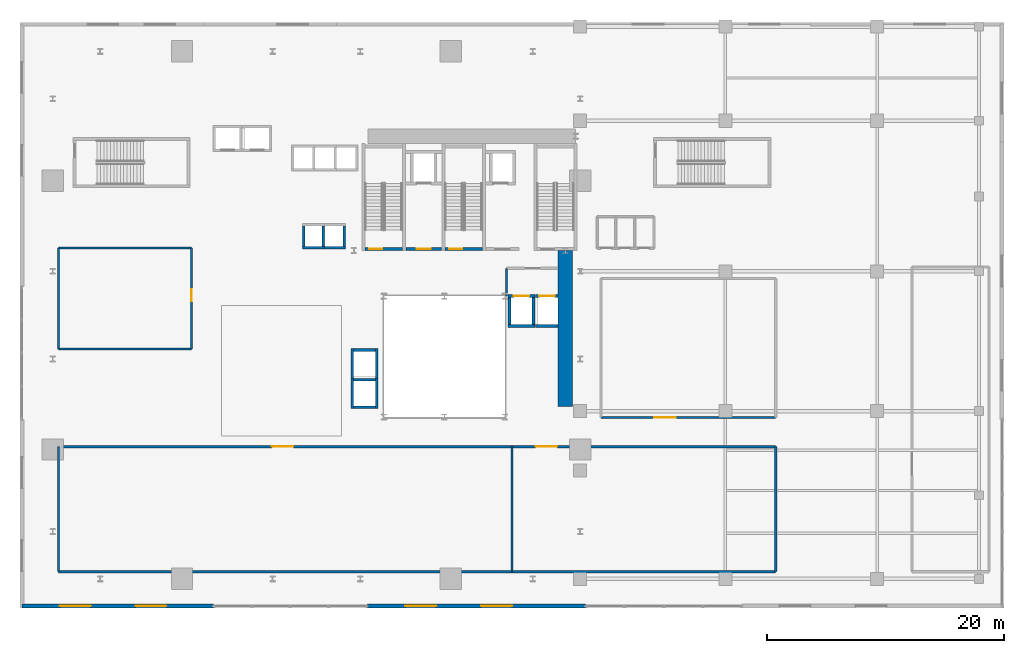
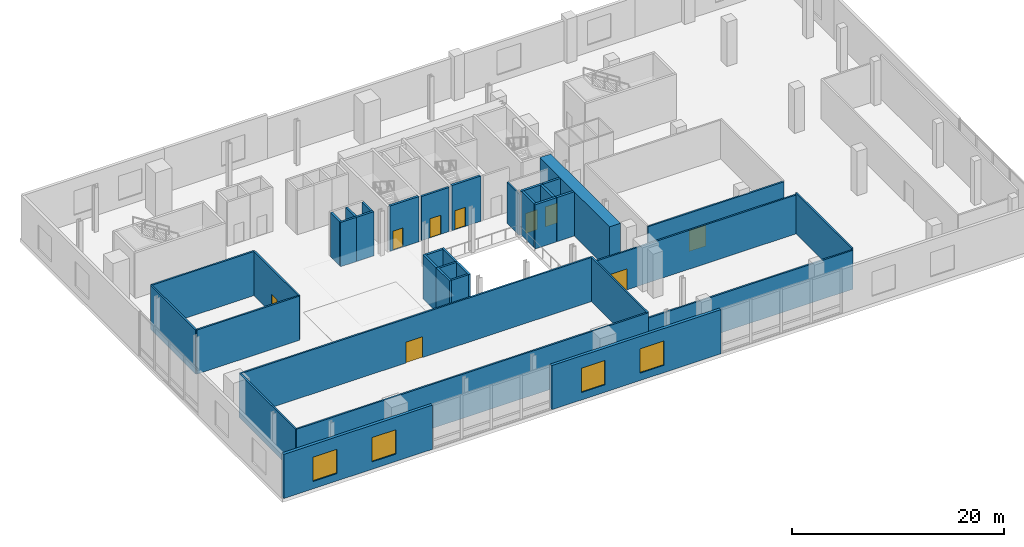
# One storey, part 6 of 12: 37 walls, 9 doors, 4 windows, 13 openings.
"""IFC4 building model written with IfcOpenShell, lengths in metres."""

from ifc_helpers import new_model, si_unit, direction, frame, frame_2d, origin, place, context, subcontext, project, spatial, rectangle, extrude, source, transform, mapped, material, layer, layer_set, type_object, element, fill, save


model = new_model("IFC4")

# Units and contexts
model_context = context("Model", 3, precision=1e-05, world=origin(), true_north=direction((0.0, 1.0)))
body_context = subcontext(model_context, "Body", "Model", "MODEL_VIEW")
ifc_project = project(units=[si_unit("LENGTHUNIT", "METRE"), si_unit("AREAUNIT", "SQUARE_METRE"), si_unit("VOLUMEUNIT", "CUBIC_METRE"), si_unit("PLANEANGLEUNIT", "RADIAN"), si_unit("MASSUNIT", "GRAM", prefix="KILO")], contexts=[model_context])

# Site, building, storey
site_placement = place(None, origin())
site = spatial("IfcSite", under=ifc_project, at=site_placement, CompositionType="ELEMENT")
building_placement = place(site_placement, origin())
building = spatial("IfcBuilding", under=site, at=building_placement, Name="Vardaveli Station Tower", CompositionType="ELEMENT")
storey_placement = place(building_placement, frame((0.0, 0.0, 17.0)))
storey = spatial("IfcBuildingStorey", under=building, at=storey_placement, Name="L04", CompositionType="ELEMENT", Elevation=17.0)

# Wall
ifc_material_1 = material(Name="Concrete C70/85", Category="concrete")
ifc_layer_1 = layer(ifc_material_1, 1.199951171875, Name="Concrete C70/85")
ifc_layer_set_1 = layer_set([ifc_layer_1], Name="Concrete C70/85")
wall_type_1 = type_object("IfcWallType", Name="WAL-CORE-1200", PredefinedType="SHEAR", material=ifc_layer_set_1)
shared_shape_1 = source(origin(), body_context, "Body", "SweptSolid", [
    extrude(rectangle(XDim=13.14990234375, YDim=1.199951171875, at=frame_2d((6.574951171875, 0.0))), origin(), (0.0, 0.0, 1.0), 5.080078125),
])
wall_1_placement = place(storey_placement, frame((46.5, 17.5, 0.0), z_axis=(0.0, 0.0, 1.0), x_axis=(0.0, 1.0, 0.0)))
element("IfcWall", 1, at=wall_1_placement, inside=storey, type_object=wall_type_1, Name="SW-L04-EAST2", PredefinedType="SHEAR", context=body_context, shape_type="MappedRepresentation", body=[
    mapped(shared_shape_1, transform((0.0, 0.0, 0.0), scale=1.0)),
])

# Wall, openings, windows
ifc_material_2 = material(Name="Precast concrete C45/55", Category="concrete")
ifc_layer_2 = layer(ifc_material_2, 0.320068359375, Name="Precast concrete C45/55")
ifc_layer_set_2 = layer_set([ifc_layer_2], Name="Precast concrete C45/55")
wall_type_2 = type_object("IfcWallType", Name="WAL-EXT-STONE-320", PredefinedType="SOLIDWALL", material=ifc_layer_set_2)
shared_shape_2 = source(origin(), body_context, "Body", "SweptSolid", [
    extrude(rectangle(XDim=16.150146484375, YDim=0.320068359375, at=frame_2d((8.0751953125, 0.0))), origin(), (0.0, 0.0, 1.0), 5.080078125),
])
wall_2_placement = place(storey_placement, frame((0.64990234375, 0.64990234375, 0.0), z_axis=(0.0, 0.0, 1.0), x_axis=(1.0, 0.0, 0.0)))
wall_2 = element("IfcWall", 2, at=wall_2_placement, inside=storey, type_object=wall_type_2, Name="EW-L04-S1", PredefinedType="SOLIDWALL", context=body_context, shape_type="MappedRepresentation", body=[
    mapped(shared_shape_2, transform((0.0, 0.0, 0.0), scale=1.0)),
])
shared_shape_3 = source(origin(), body_context, "Body", "SweptSolid", [
    extrude(rectangle(XDim=2.60009765625, YDim=2.800048828125, at=frame_2d((1.300048828125, 1.39990234375))), frame((0.0, 0.169921875, 0.0), z_axis=(0.0, -1.0, 0.0), x_axis=(1.0, 0.0, 0.0)), (0.0, 0.0, 1.0), 0.340087890625),
])
opening_1_placement = place(wall_2_placement, frame((3.199951171875, 0.0, 0.85009765625)))
opening_1 = element("IfcOpeningElement", 3, at=opening_1_placement, cuts=wall_2, Name="Opening W-02", PredefinedType="OPENING", context=body_context, shape_type="MappedRepresentation", body=[
    mapped(shared_shape_3, transform((0.0, 0.0, 0.0), scale=1.0)),
])
opening_2_placement = place(wall_2_placement, frame((9.60009765625, 0.0, 0.85009765625)))
opening_2 = element("IfcOpeningElement", 4, at=opening_2_placement, cuts=wall_2, Name="Opening W-02", PredefinedType="OPENING", context=body_context, shape_type="MappedRepresentation", body=[
    mapped(shared_shape_3, transform((0.0, 0.0, 0.0), scale=1.0)),
])
ifc_material_3 = material(Name="Low-E solar-control glass", Category="glass")
window_type = type_object("IfcWindowType", Name="WIN-POD-2600x2800", PartitioningType="SINGLE_PANEL", PredefinedType="WINDOW", material=ifc_material_3)
shared_shape_4 = source(origin(), body_context, "Body", "SweptSolid", [
    extrude(rectangle(XDim=2.60009765625, YDim=2.800048828125, at=frame_2d((1.300048828125, 1.39990234375))), frame((0.0, 0.030029296875, 0.0), z_axis=(0.0, -1.0, 0.0), x_axis=(1.0, 0.0, 0.0)), (0.0, 0.0, 1.0), 0.06005859375),
])
window_1_placement = place(opening_1_placement, origin())
window_1 = element("IfcWindow", 5, at=window_1_placement, inside=storey, type_object=window_type, Name="WN-L04-S1A", OverallHeight=2.800048828125, OverallWidth=2.60009765625, PartitioningType="SINGLE_PANEL", PredefinedType="WINDOW", context=body_context, shape_type="MappedRepresentation", body=[
    mapped(shared_shape_4, transform((0.0, 0.0, 0.0), scale=1.0)),
])
fill(opening_1, window_1)
window_2_placement = place(opening_2_placement, origin())
window_2 = element("IfcWindow", 6, at=window_2_placement, inside=storey, type_object=window_type, Name="WN-L04-S1B", OverallHeight=2.800048828125, OverallWidth=2.60009765625, PartitioningType="SINGLE_PANEL", PredefinedType="WINDOW", context=body_context, shape_type="MappedRepresentation", body=[
    mapped(shared_shape_4, transform((0.0, 0.0, 0.0), scale=1.0)),
])
fill(opening_2, window_2)

shared_shape_5 = source(origin(), body_context, "Body", "SweptSolid", [
    extrude(rectangle(XDim=18.39990234375, YDim=0.320068359375, at=frame_2d((9.199951171875, 0.0))), origin(), (0.0, 0.0, 1.0), 5.080078125),
])
wall_3_placement = place(storey_placement, frame((29.800048828125, 0.64990234375, 0.0), z_axis=(0.0, 0.0, 1.0), x_axis=(1.0, 0.0, 0.0)))
wall_3 = element("IfcWall", 7, at=wall_3_placement, inside=storey, type_object=wall_type_2, Name="EW-L04-S3", PredefinedType="SOLIDWALL", context=body_context, shape_type="MappedRepresentation", body=[
    mapped(shared_shape_5, transform((0.0, 0.0, 0.0), scale=1.0)),
])
opening_3_placement = place(wall_3_placement, frame((3.199951171875, 0.0, 0.85009765625)))
opening_3 = element("IfcOpeningElement", 8, at=opening_3_placement, cuts=wall_3, Name="Opening W-02", PredefinedType="OPENING", context=body_context, shape_type="MappedRepresentation", body=[
    mapped(shared_shape_3, transform((0.0, 0.0, 0.0), scale=1.0)),
])
opening_4_placement = place(wall_3_placement, frame((9.60009765625, 0.0, 0.85009765625)))
opening_4 = element("IfcOpeningElement", 9, at=opening_4_placement, cuts=wall_3, Name="Opening W-02", PredefinedType="OPENING", context=body_context, shape_type="MappedRepresentation", body=[
    mapped(shared_shape_3, transform((0.0, 0.0, 0.0), scale=1.0)),
])
window_3_placement = place(opening_3_placement, origin())
window_3 = element("IfcWindow", 10, at=window_3_placement, inside=storey, type_object=window_type, Name="WN-L04-S3A", OverallHeight=2.800048828125, OverallWidth=2.60009765625, PartitioningType="SINGLE_PANEL", PredefinedType="WINDOW", context=body_context, shape_type="MappedRepresentation", body=[
    mapped(shared_shape_4, transform((0.0, 0.0, 0.0), scale=1.0)),
])
fill(opening_3, window_3)
window_4_placement = place(opening_4_placement, origin())
window_4 = element("IfcWindow", 11, at=window_4_placement, inside=storey, type_object=window_type, Name="WN-L04-S3B", OverallHeight=2.800048828125, OverallWidth=2.60009765625, PartitioningType="SINGLE_PANEL", PredefinedType="WINDOW", context=body_context, shape_type="MappedRepresentation", body=[
    mapped(shared_shape_4, transform((0.0, 0.0, 0.0), scale=1.0)),
])
fill(opening_4, window_4)

# Wall, opening, door
ifc_material_4 = material(Name="Concrete C40/50", Category="concrete")
ifc_layer_3 = layer(ifc_material_4, 0.25, Name="Concrete C40/50")
ifc_layer_set_3 = layer_set([ifc_layer_3], Name="Concrete C40/50")
wall_type_3 = type_object("IfcWallType", Name="WAL-SHAFT-250", PredefinedType="SOLIDWALL", material=ifc_layer_set_3)
shared_shape_6 = source(origin(), body_context, "Body", "SweptSolid", [
    extrude(rectangle(XDim=3.14990234375, YDim=0.25, at=frame_2d((1.574951171875, 0.0))), origin(), (0.0, 0.0, 1.0), 5.199951171875),
])
wall_4_placement = place(storey_placement, frame((29.60009765625, 30.77490234375, 0.0), z_axis=(0.0, 0.0, 1.0), x_axis=(1.0, 0.0, 0.0)))
wall_4 = element("IfcWall", 12, at=wall_4_placement, inside=storey, type_object=wall_type_3, Name="W-L04-ST-1S", PredefinedType="SOLIDWALL", context=body_context, shape_type="MappedRepresentation", body=[
    mapped(shared_shape_6, transform((0.0, 0.0, 0.0), scale=1.0)),
])
shared_shape_7 = source(origin(), body_context, "Body", "SweptSolid", [
    extrude(rectangle(XDim=1.10009765625, YDim=2.199951171875, at=frame_2d((0.550048828125, 1.10009765625))), frame((0.0, 0.135009765625, 0.0), z_axis=(0.0, -1.0, 0.0), x_axis=(1.0, 0.0, 0.0)), (0.0, 0.0, 1.0), 0.27001953125),
])
opening_5_placement = place(wall_4_placement, frame((0.35009765625, 0.0, 0.0)))
opening_5 = element("IfcOpeningElement", 13, at=opening_5_placement, cuts=wall_4, Name="Opening D-04", PredefinedType="OPENING", context=body_context, shape_type="MappedRepresentation", body=[
    mapped(shared_shape_7, transform((0.0, 0.0, 0.0), scale=1.0)),
])
ifc_material_5 = material(Name="Steel smokeproof fire doorset", Category="steel")
door_type_1 = type_object("IfcDoorType", Name="DR-ST-1100x2200", OperationType="NOTDEFINED", PredefinedType="DOOR", material=ifc_material_5)
shared_shape_8 = source(origin(), body_context, "Body", "SweptSolid", [
    extrude(rectangle(XDim=1.10009765625, YDim=2.199951171875, at=frame_2d((0.550048828125, 1.10009765625))), frame((0.0, 0.02490234375, 0.0), z_axis=(0.0, -1.0, 0.0), x_axis=(1.0, 0.0, 0.0)), (0.0, 0.0, 1.0), 0.050048828125),
])
door_1_placement = place(opening_5_placement, origin())
door_1 = element("IfcDoor", 14, at=door_1_placement, inside=storey, type_object=door_type_1, Name="DST-1-L04", OperationType="SINGLE_SWING_LEFT", OverallHeight=2.199951171875, OverallWidth=1.10009765625, PredefinedType="DOOR", context=body_context, shape_type="MappedRepresentation", body=[
    mapped(shared_shape_8, transform((0.0, 0.0, 0.0), scale=1.0)),
])
fill(opening_5, door_1)

wall_5_placement = place(storey_placement, frame((36.35009765625, 30.77490234375, 0.0), z_axis=(0.0, 0.0, 1.0), x_axis=(1.0, 0.0, 0.0)))
wall_5 = element("IfcWall", 15, at=wall_5_placement, inside=storey, type_object=wall_type_3, Name="W-L04-ST-2S", PredefinedType="SOLIDWALL", context=body_context, shape_type="MappedRepresentation", body=[
    mapped(shared_shape_6, transform((0.0, 0.0, 0.0), scale=1.0)),
])
opening_6_placement = place(wall_5_placement, frame((0.35009765625, 0.0, 0.0)))
opening_6 = element("IfcOpeningElement", 16, at=opening_6_placement, cuts=wall_5, Name="Opening D-04", PredefinedType="OPENING", context=body_context, shape_type="MappedRepresentation", body=[
    mapped(shared_shape_7, transform((0.0, 0.0, 0.0), scale=1.0)),
])
door_2_placement = place(opening_6_placement, origin())
door_2 = element("IfcDoor", 17, at=door_2_placement, inside=storey, type_object=door_type_1, Name="DST-2-L04", OperationType="SINGLE_SWING_LEFT", OverallHeight=2.199951171875, OverallWidth=1.10009765625, PredefinedType="DOOR", context=body_context, shape_type="MappedRepresentation", body=[
    mapped(shared_shape_8, transform((0.0, 0.0, 0.0), scale=1.0)),
])
fill(opening_6, door_2)

ifc_layer_4 = layer(ifc_material_4, 0.219970703125, Name="Concrete C40/50")
ifc_layer_set_4 = layer_set([ifc_layer_4], Name="Concrete C40/50")
wall_type_4 = type_object("IfcWallType", Name="WAL-FFLOBBY-220", PredefinedType="SOLIDWALL", material=ifc_layer_set_4)
shared_shape_9 = source(origin(), body_context, "Body", "SweptSolid", [
    extrude(rectangle(XDim=3.0, YDim=0.219970703125, at=frame_2d((1.5, 0.0))), origin(), (0.0, 0.0, 1.0), 5.080078125),
])
wall_6_placement = place(storey_placement, frame((33.050048828125, 30.780029296875, 0.0), z_axis=(0.0, 0.0, 1.0), x_axis=(1.0, 0.0, 0.0)))
wall_6 = element("IfcWall", 18, at=wall_6_placement, inside=storey, type_object=wall_type_4, Name="W-L04-FFL1S", PredefinedType="SOLIDWALL", context=body_context, shape_type="MappedRepresentation", body=[
    mapped(shared_shape_9, transform((0.0, 0.0, 0.0), scale=1.0)),
])
shared_shape_10 = source(origin(), body_context, "Body", "SweptSolid", [
    extrude(rectangle(XDim=1.199951171875, YDim=2.199951171875, at=frame_2d((0.60009765625, 1.10009765625))), frame((0.0, 0.1201171875, 0.0), z_axis=(0.0, -1.0, 0.0), x_axis=(1.0, 0.0, 0.0)), (0.0, 0.0, 1.0), 0.239990234375),
])
opening_7_placement = place(wall_6_placement, frame((0.89990234375, 0.0, 0.0)))
opening_7 = element("IfcOpeningElement", 19, at=opening_7_placement, cuts=wall_6, Name="Opening D-03", PredefinedType="OPENING", context=body_context, shape_type="MappedRepresentation", body=[
    mapped(shared_shape_10, transform((0.0, 0.0, 0.0), scale=1.0)),
])
door_type_2 = type_object("IfcDoorType", Name="DR-FFL-1200x2200", OperationType="NOTDEFINED", PredefinedType="DOOR", material=ifc_material_5)
shared_shape_11 = source(origin(), body_context, "Body", "SweptSolid", [
    extrude(rectangle(XDim=1.199951171875, YDim=2.199951171875, at=frame_2d((0.60009765625, 1.10009765625))), frame((0.0, 0.02490234375, 0.0), z_axis=(0.0, -1.0, 0.0), x_axis=(1.0, 0.0, 0.0)), (0.0, 0.0, 1.0), 0.050048828125),
])
door_3_placement = place(opening_7_placement, origin())
door_3 = element("IfcDoor", 20, at=door_3_placement, inside=storey, type_object=door_type_2, Name="DFFL1-L04", OperationType="SINGLE_SWING_LEFT", OverallHeight=2.199951171875, OverallWidth=1.199951171875, PredefinedType="DOOR", context=body_context, shape_type="MappedRepresentation", body=[
    mapped(shared_shape_11, transform((0.0, 0.0, 0.0), scale=1.0)),
])
fill(opening_7, door_3)

# Walls
shared_shape_12 = source(origin(), body_context, "Body", "SweptSolid", [
    extrude(rectangle(XDim=1.89013671875, YDim=0.219970703125, at=frame_2d((0.945068359375, 0.0))), origin(), (0.0, 0.0, 1.0), 5.080078125),
])
for number, where, z_axis, x_axis, name in (
    (21, (24.304931640625, 30.889892578125, 0.0), (0.0, 0.0, 1.0), (1.0, 0.0, 0.0), "SHW-SHU-01-L04-S"),
    (22, (26.054931640625, 30.889892578125, 0.0), (0.0, 0.0, 1.0), (1.0, 0.0, 0.0), "SHW-SHU-02-L04-S"),
):
    element("IfcWall", number, at=place(storey_placement, frame(where, z_axis=z_axis, x_axis=x_axis)), inside=storey, type_object=wall_type_4, Name=name, PredefinedType="SOLIDWALL", context=body_context, shape_type="MappedRepresentation", body=[
        mapped(shared_shape_12, transform((0.0, 0.0, 0.0), scale=1.0)),
    ])
shared_shape_13 = source(origin(), body_context, "Body", "SweptSolid", [
    extrude(rectangle(XDim=1.699951171875, YDim=0.219970703125, at=frame_2d((0.85009765625, 0.0))), origin(), (0.0, 0.0, 1.0), 5.080078125),
])
for number, where, z_axis, x_axis, name in (
    (23, (24.4150390625, 31.0, 0.0), (0.0, 0.0, 1.0), (0.0, 1.0, 0.0), "SHW-SHU-01-L04-W"),
    (24, (26.0849609375, 31.0, 0.0), (0.0, 0.0, 1.0), (0.0, 1.0, 0.0), "SHW-SHU-01-L04-E"),
    (25, (27.8349609375, 31.0, 0.0), (0.0, 0.0, 1.0), (0.0, 1.0, 0.0), "SHW-SHU-02-L04-E"),
):
    element("IfcWall", number, at=place(storey_placement, frame(where, z_axis=z_axis, x_axis=x_axis)), inside=storey, type_object=wall_type_4, Name=name, PredefinedType="SOLIDWALL", context=body_context, shape_type="MappedRepresentation", body=[
        mapped(shared_shape_13, transform((0.0, 0.0, 0.0), scale=1.0)),
    ])
shared_shape_14 = source(origin(), body_context, "Body", "SweptSolid", [
    extrude(rectangle(XDim=1.85009765625, YDim=0.219970703125, at=frame_2d((0.925048828125, 0.0))), origin(), (0.0, 0.0, 1.0), 5.080078125),
])
for number, where, z_axis, x_axis, name in (
    (26, (28.625, 17.43994140625, 0.0), (0.0, 0.0, 1.0), (1.0, 0.0, 0.0), "SHW-OBS-01-L04-S"),
    (27, (28.625, 19.760009765625, 0.0), (0.0, 0.0, 1.0), (1.0, 0.0, 0.0), "SHW-OBS-01-L04-N"),
    (28, (28.625, 22.260009765625, 0.0), (0.0, 0.0, 1.0), (1.0, 0.0, 0.0), "SHW-OBS-02-L04-N"),
):
    element("IfcWall", number, at=place(storey_placement, frame(where, z_axis=z_axis, x_axis=x_axis)), inside=storey, type_object=wall_type_4, Name=name, PredefinedType="SOLIDWALL", context=body_context, shape_type="MappedRepresentation", body=[
        mapped(shared_shape_14, transform((0.0, 0.0, 0.0), scale=1.0)),
    ])
shared_shape_15 = source(origin(), body_context, "Body", "SweptSolid", [
    extrude(rectangle(XDim=2.5400390625, YDim=0.219970703125, at=frame_2d((1.27001953125, 0.0))), origin(), (0.0, 0.0, 1.0), 5.080078125),
])
for number, where, z_axis, x_axis, name in (
    (29, (28.514892578125, 17.330078125, 0.0), (0.0, 0.0, 1.0), (0.0, 1.0, 0.0), "SHW-OBS-01-L04-W"),
    (30, (30.5849609375, 17.330078125, 0.0), (0.0, 0.0, 1.0), (0.0, 1.0, 0.0), "SHW-OBS-01-L04-E"),
    (31, (28.514892578125, 19.830078125, 0.0), (0.0, 0.0, 1.0), (0.0, 1.0, 0.0), "SHW-OBS-02-L04-W"),
    (32, (30.5849609375, 19.830078125, 0.0), (0.0, 0.0, 1.0), (0.0, 1.0, 0.0), "SHW-OBS-02-L04-E"),
):
    element("IfcWall", number, at=place(storey_placement, frame(where, z_axis=z_axis, x_axis=x_axis)), inside=storey, type_object=wall_type_4, Name=name, PredefinedType="SOLIDWALL", context=body_context, shape_type="MappedRepresentation", body=[
        mapped(shared_shape_15, transform((0.0, 0.0, 0.0), scale=1.0)),
    ])
shared_shape_16 = source(origin(), body_context, "Body", "SweptSolid", [
    extrude(rectangle(XDim=2.300048828125, YDim=0.25, at=frame_2d((1.14990234375, 0.0))), origin(), (0.0, 0.0, 1.0), 5.080078125),
])
wall_7_placement = place(storey_placement, frame((41.64990234375, 24.27490234375, 0.0), z_axis=(0.0, 0.0, 1.0), x_axis=(1.0, 0.0, 0.0)))
element("IfcWall", 33, at=wall_7_placement, inside=storey, type_object=wall_type_3, Name="SHW-SRV-01-L04-S", PredefinedType="SOLIDWALL", context=body_context, shape_type="MappedRepresentation", body=[
    mapped(shared_shape_16, transform((0.0, 0.0, 0.0), scale=1.0)),
])

# Wall, opening, door
wall_8_placement = place(storey_placement, frame((41.64990234375, 26.824951171875, 0.0), z_axis=(0.0, 0.0, 1.0), x_axis=(1.0, 0.0, 0.0)))
wall_8 = element("IfcWall", 34, at=wall_8_placement, inside=storey, type_object=wall_type_3, Name="SHW-SRV-01-L04-N", PredefinedType="SOLIDWALL", context=body_context, shape_type="MappedRepresentation", body=[
    mapped(shared_shape_16, transform((0.0, 0.0, 0.0), scale=1.0)),
])
shared_shape_17 = source(origin(), body_context, "Body", "SweptSolid", [
    extrude(rectangle(XDim=1.300048828125, YDim=2.300048828125, at=frame_2d((0.64990234375, 1.14990234375))), frame((0.0, 0.135009765625, 0.0), z_axis=(0.0, -1.0, 0.0), x_axis=(1.0, 0.0, 0.0)), (0.0, 0.0, 1.0), 0.27001953125),
])
opening_8_placement = place(wall_8_placement, frame((0.5, 0.0, 0.0)))
opening_8 = element("IfcOpeningElement", 35, at=opening_8_placement, cuts=wall_8, Name="Opening LD-03", PredefinedType="OPENING", context=body_context, shape_type="MappedRepresentation", body=[
    mapped(shared_shape_17, transform((0.0, 0.0, 0.0), scale=1.0)),
])
ifc_material_6 = material(Name="Brushed stainless steel", Category="steel")
door_type_3 = type_object("IfcDoorType", Name="DR-LD-1300x2300", OperationType="DOUBLE_DOOR_SLIDING", PredefinedType="DOOR", material=ifc_material_6)
shared_shape_18 = source(origin(), body_context, "Body", "SweptSolid", [
    extrude(rectangle(XDim=1.300048828125, YDim=2.300048828125, at=frame_2d((0.64990234375, 1.14990234375))), frame((0.0, 0.02490234375, 0.0), z_axis=(0.0, -1.0, 0.0), x_axis=(1.0, 0.0, 0.0)), (0.0, 0.0, 1.0), 0.050048828125),
])
door_4_placement = place(opening_8_placement, origin())
door_4 = element("IfcDoor", 36, at=door_4_placement, inside=storey, type_object=door_type_3, Name="LD-SRV-01-L04", OperationType="DOUBLE_DOOR_SLIDING", OverallHeight=2.300048828125, OverallWidth=1.300048828125, PredefinedType="DOOR", context=body_context, shape_type="MappedRepresentation", body=[
    mapped(shared_shape_18, transform((0.0, 0.0, 0.0), scale=1.0)),
])
fill(opening_8, door_4)

# Walls
for number, where, z_axis, x_axis, name in (
    (37, (41.77490234375, 24.39990234375, 0.0), (0.0, 0.0, 1.0), (0.0, 1.0, 0.0), "SHW-SRV-01-L04-W"),
    (38, (43.824951171875, 24.39990234375, 0.0), (0.0, 0.0, 1.0), (0.0, 1.0, 0.0), "SHW-SRV-01-L04-E"),
):
    element("IfcWall", number, at=place(storey_placement, frame(where, z_axis=z_axis, x_axis=x_axis)), inside=storey, type_object=wall_type_3, Name=name, PredefinedType="SOLIDWALL", context=body_context, shape_type="MappedRepresentation", body=[
        mapped(shared_shape_16, transform((0.0, 0.0, 0.0), scale=1.0)),
    ])
shared_shape_19 = source(origin(), body_context, "Body", "SweptSolid", [
    extrude(rectangle(XDim=1.89990234375, YDim=0.25, at=frame_2d((0.949951171875, 0.0))), origin(), (0.0, 0.0, 1.0), 5.080078125),
])
wall_9_placement = place(storey_placement, frame((44.0, 24.27490234375, 0.0), z_axis=(0.0, 0.0, 1.0), x_axis=(1.0, 0.0, 0.0)))
element("IfcWall", 39, at=wall_9_placement, inside=storey, type_object=wall_type_3, Name="SHW-SRV-02-L04-S", PredefinedType="SOLIDWALL", context=body_context, shape_type="MappedRepresentation", body=[
    mapped(shared_shape_19, transform((0.0, 0.0, 0.0), scale=1.0)),
])

# Wall, opening, door
wall_10_placement = place(storey_placement, frame((44.0, 26.824951171875, 0.0), z_axis=(0.0, 0.0, 1.0), x_axis=(1.0, 0.0, 0.0)))
wall_10 = element("IfcWall", 40, at=wall_10_placement, inside=storey, type_object=wall_type_3, Name="SHW-SRV-02-L04-N", PredefinedType="SOLIDWALL", context=body_context, shape_type="MappedRepresentation", body=[
    mapped(shared_shape_19, transform((0.0, 0.0, 0.0), scale=1.0)),
])
opening_9_placement = place(wall_10_placement, frame((0.300048828125, 0.0, 0.0)))
opening_9 = element("IfcOpeningElement", 41, at=opening_9_placement, cuts=wall_10, Name="Opening LD-03", PredefinedType="OPENING", context=body_context, shape_type="MappedRepresentation", body=[
    mapped(shared_shape_17, transform((0.0, 0.0, 0.0), scale=1.0)),
])
door_5_placement = place(opening_9_placement, origin())
door_5 = element("IfcDoor", 42, at=door_5_placement, inside=storey, type_object=door_type_3, Name="LD-SRV-02-L04", OperationType="DOUBLE_DOOR_SLIDING", OverallHeight=2.300048828125, OverallWidth=1.300048828125, PredefinedType="DOOR", context=body_context, shape_type="MappedRepresentation", body=[
    mapped(shared_shape_18, transform((0.0, 0.0, 0.0), scale=1.0)),
])
fill(opening_9, door_5)

ifc_material_7 = material(Name="Fire-rated gypsum stud partition")
ifc_layer_5 = layer(ifc_material_7, 0.179931640625, Name="Fire-rated gypsum stud partition")
ifc_layer_set_5 = layer_set([ifc_layer_5], Name="Fire-rated gypsum stud partition")
wall_type_5 = type_object("IfcWallType", Name="WAL-CORR-180", PredefinedType="PARTITIONING", material=ifc_layer_set_5)
shared_shape_20 = source(origin(), body_context, "Body", "SweptSolid", [
    extrude(rectangle(XDim=38.25, YDim=0.179931640625, at=frame_2d((19.125, 0.0))), origin(), (0.0, 0.0, 1.0), 5.080078125),
])
wall_11_placement = place(storey_placement, frame((3.75, 14.10009765625, 0.0), z_axis=(0.0, 0.0, 1.0), x_axis=(1.0, 0.0, 0.0)))
wall_11 = element("IfcWall", 43, at=wall_11_placement, inside=storey, type_object=wall_type_5, Name="W-L04-MN1-N", PredefinedType="PARTITIONING", context=body_context, shape_type="MappedRepresentation", body=[
    mapped(shared_shape_20, transform((0.0, 0.0, 0.0), scale=1.0)),
])
shared_shape_21 = source(origin(), body_context, "Body", "SweptSolid", [
    extrude(rectangle(XDim=1.800048828125, YDim=2.39990234375, at=frame_2d((0.89990234375, 1.199951171875))), frame((0.0, 0.10009765625, 0.0), z_axis=(0.0, -1.0, 0.0), x_axis=(1.0, 0.0, 0.0)), (0.0, 0.0, 1.0), 0.199951171875),
])
opening_10_placement = place(wall_11_placement, frame((18.0, 0.0, 0.0)))
opening_10 = element("IfcOpeningElement", 44, at=opening_10_placement, cuts=wall_11, Name="Opening D-01", PredefinedType="OPENING", context=body_context, shape_type="MappedRepresentation", body=[
    mapped(shared_shape_21, transform((0.0, 0.0, 0.0), scale=1.0)),
])
ifc_material_8 = material(Name="Acoustic hardwood fire doorset", Category="wood")
door_type_4 = type_object("IfcDoorType", Name="DR-BALL-1800x2400", OperationType="DOUBLE_DOOR_SINGLE_SWING", PredefinedType="DOOR", material=ifc_material_8)
shared_shape_22 = source(origin(), body_context, "Body", "SweptSolid", [
    extrude(rectangle(XDim=1.800048828125, YDim=2.39990234375, at=frame_2d((0.89990234375, 1.199951171875))), frame((0.0, 0.02490234375, 0.0), z_axis=(0.0, -1.0, 0.0), x_axis=(1.0, 0.0, 0.0)), (0.0, 0.0, 1.0), 0.050048828125),
])
door_6_placement = place(opening_10_placement, origin())
door_6 = element("IfcDoor", 45, at=door_6_placement, inside=storey, type_object=door_type_4, Name="D-L04-1", OperationType="DOUBLE_DOOR_SINGLE_SWING", OverallHeight=2.39990234375, OverallWidth=1.800048828125, PredefinedType="DOOR", context=body_context, shape_type="MappedRepresentation", body=[
    mapped(shared_shape_22, transform((0.0, 0.0, 0.0), scale=1.0)),
])
fill(opening_10, door_6)

# Wall
wall_12_placement = place(storey_placement, frame((3.75, 3.550048828125, 0.0), z_axis=(0.0, 0.0, 1.0), x_axis=(1.0, 0.0, 0.0)))
element("IfcWall", 46, at=wall_12_placement, inside=storey, type_object=wall_type_5, Name="W-L04-MN1-S", PredefinedType="PARTITIONING", context=body_context, shape_type="MappedRepresentation", body=[
    mapped(shared_shape_20, transform((0.0, 0.0, 0.0), scale=1.0)),
])

# Wall, opening, door
shared_shape_23 = source(origin(), body_context, "Body", "SweptSolid", [
    extrude(rectangle(XDim=22.25, YDim=0.179931640625, at=frame_2d((11.125, 0.0))), origin(), (0.0, 0.0, 1.0), 4.471923828125),
])
wall_13_placement = place(storey_placement, frame((42.0, 14.10009765625, 0.0), z_axis=(0.0, 0.0, 1.0), x_axis=(1.0, 0.0, 0.0)))
wall_13 = element("IfcWall", 47, at=wall_13_placement, inside=storey, type_object=wall_type_5, Name="W-L04-MN2-N", PredefinedType="PARTITIONING", context=body_context, shape_type="MappedRepresentation", body=[
    mapped(shared_shape_23, transform((0.0, 0.0, 0.0), scale=1.0)),
])
opening_11_placement = place(wall_13_placement, frame((2.0, 0.0, 0.0)))
opening_11 = element("IfcOpeningElement", 48, at=opening_11_placement, cuts=wall_13, Name="Opening D-01", PredefinedType="OPENING", context=body_context, shape_type="MappedRepresentation", body=[
    mapped(shared_shape_21, transform((0.0, 0.0, 0.0), scale=1.0)),
])
door_7_placement = place(opening_11_placement, origin())
door_7 = element("IfcDoor", 49, at=door_7_placement, inside=storey, type_object=door_type_4, Name="D-L04-2", OperationType="DOUBLE_DOOR_SINGLE_SWING", OverallHeight=2.39990234375, OverallWidth=1.800048828125, PredefinedType="DOOR", context=body_context, shape_type="MappedRepresentation", body=[
    mapped(shared_shape_22, transform((0.0, 0.0, 0.0), scale=1.0)),
])
fill(opening_11, door_7)

# Wall
wall_14_placement = place(storey_placement, frame((42.0, 3.550048828125, 0.0), z_axis=(0.0, 0.0, 1.0), x_axis=(1.0, 0.0, 0.0)))
element("IfcWall", 50, at=wall_14_placement, inside=storey, type_object=wall_type_5, Name="W-L04-MN2-S", PredefinedType="PARTITIONING", context=body_context, shape_type="MappedRepresentation", body=[
    mapped(shared_shape_23, transform((0.0, 0.0, 0.0), scale=1.0)),
])

# Wall, opening, door
shared_shape_24 = source(origin(), body_context, "Body", "SweptSolid", [
    extrude(rectangle(XDim=14.75, YDim=0.179931640625, at=frame_2d((7.375, 0.0))), origin(), (0.0, 0.0, 1.0), 4.471923828125),
])
wall_15_placement = place(storey_placement, frame((49.5, 16.550048828125, 0.0), z_axis=(0.0, 0.0, 1.0), x_axis=(1.0, 0.0, 0.0)))
wall_15 = element("IfcWall", 51, at=wall_15_placement, inside=storey, type_object=wall_type_5, Name="W-L04-MN3-S", PredefinedType="PARTITIONING", context=body_context, shape_type="MappedRepresentation", body=[
    mapped(shared_shape_24, transform((0.0, 0.0, 0.0), scale=1.0)),
])
opening_12_placement = place(wall_15_placement, frame((4.5, 0.0, 0.0)))
opening_12 = element("IfcOpeningElement", 52, at=opening_12_placement, cuts=wall_15, Name="Opening D-01", PredefinedType="OPENING", context=body_context, shape_type="MappedRepresentation", body=[
    mapped(shared_shape_21, transform((0.0, 0.0, 0.0), scale=1.0)),
])
door_8_placement = place(opening_12_placement, origin())
door_8 = element("IfcDoor", 53, at=door_8_placement, inside=storey, type_object=door_type_4, Name="D-L04-3", OperationType="DOUBLE_DOOR_SINGLE_SWING", OverallHeight=2.39990234375, OverallWidth=1.800048828125, PredefinedType="DOOR", context=body_context, shape_type="MappedRepresentation", body=[
    mapped(shared_shape_22, transform((0.0, 0.0, 0.0), scale=1.0)),
])
fill(opening_12, door_8)

shared_shape_25 = source(origin(), body_context, "Body", "SweptSolid", [
    extrude(rectangle(XDim=8.5, YDim=0.179931640625, at=frame_2d((4.25, 0.0))), origin(), (0.0, 0.0, 1.0), 5.080078125),
])
wall_16_placement = place(storey_placement, frame((14.949951171875, 22.35009765625, 0.0), z_axis=(0.0, 0.0, 1.0), x_axis=(0.0, 1.0, 0.0)))
wall_16 = element("IfcWall", 54, at=wall_16_placement, inside=storey, type_object=wall_type_5, Name="W-L04-MN4-E", PredefinedType="PARTITIONING", context=body_context, shape_type="MappedRepresentation", body=[
    mapped(shared_shape_25, transform((0.0, 0.0, 0.0), scale=1.0)),
])
shared_shape_26 = source(origin(), body_context, "Body", "SweptSolid", [
    extrude(rectangle(XDim=1.050048828125, YDim=2.199951171875, at=frame_2d((0.52490234375, 1.10009765625))), frame((0.0, 0.10009765625, 0.0), z_axis=(0.0, -1.0, 0.0), x_axis=(1.0, 0.0, 0.0)), (0.0, 0.0, 1.0), 0.199951171875),
])
opening_13_placement = place(wall_16_placement, frame((4.0, 0.0, 0.0)))
opening_13 = element("IfcOpeningElement", 55, at=opening_13_placement, cuts=wall_16, Name="Opening D-05", PredefinedType="OPENING", context=body_context, shape_type="MappedRepresentation", body=[
    mapped(shared_shape_26, transform((0.0, 0.0, 0.0), scale=1.0)),
])
ifc_material_9 = material(Name="Walnut veneer acoustic fire door")
door_type_5 = type_object("IfcDoorType", Name="DR-SUITE-1050x2200", OperationType="NOTDEFINED", PredefinedType="DOOR", material=ifc_material_9)
shared_shape_27 = source(origin(), body_context, "Body", "SweptSolid", [
    extrude(rectangle(XDim=1.050048828125, YDim=2.199951171875, at=frame_2d((0.52490234375, 1.10009765625))), frame((0.0, 0.02490234375, 0.0), z_axis=(0.0, -1.0, 0.0), x_axis=(1.0, 0.0, 0.0)), (0.0, 0.0, 1.0), 0.050048828125),
])
door_9_placement = place(opening_13_placement, origin())
door_9 = element("IfcDoor", 56, at=door_9_placement, inside=storey, type_object=door_type_5, Name="D-L04-4", OperationType="SINGLE_SWING_LEFT", OverallHeight=2.199951171875, OverallWidth=1.050048828125, PredefinedType="DOOR", context=body_context, shape_type="MappedRepresentation", body=[
    mapped(shared_shape_27, transform((0.0, 0.0, 0.0), scale=1.0)),
])
fill(opening_13, door_9)

# Walls
wall_17_placement = place(storey_placement, frame((3.75, 22.35009765625, 0.0), z_axis=(0.0, 0.0, 1.0), x_axis=(0.0, 1.0, 0.0)))
element("IfcWall", 57, at=wall_17_placement, inside=storey, type_object=wall_type_5, Name="W-L04-MN4-W", PredefinedType="PARTITIONING", context=body_context, shape_type="MappedRepresentation", body=[
    mapped(shared_shape_25, transform((0.0, 0.0, 0.0), scale=1.0)),
])
shared_shape_28 = source(origin(), body_context, "Body", "SweptSolid", [
    extrude(rectangle(XDim=11.199951171875, YDim=0.179931640625, at=frame_2d((5.60009765625, 0.0))), origin(), (0.0, 0.0, 1.0), 5.080078125),
])
for number, where, z_axis, x_axis, name in (
    (58, (3.75, 22.35009765625, 0.0), (0.0, 0.0, 1.0), (1.0, 0.0, 0.0), "W-L04-MN4-S"),
    (59, (3.75, 30.85009765625, 0.0), (0.0, 0.0, 1.0), (1.0, 0.0, 0.0), "W-L04-MN4-N"),
):
    element("IfcWall", number, at=place(storey_placement, frame(where, z_axis=z_axis, x_axis=x_axis)), inside=storey, type_object=wall_type_5, Name=name, PredefinedType="PARTITIONING", context=body_context, shape_type="MappedRepresentation", body=[
        mapped(shared_shape_28, transform((0.0, 0.0, 0.0), scale=1.0)),
    ])
shared_shape_29 = source(origin(), body_context, "Body", "SweptSolid", [
    extrude(rectangle(XDim=10.550048828125, YDim=0.179931640625, at=frame_2d((5.27490234375, 0.0))), origin(), (0.0, 0.0, 1.0), 5.080078125),
])
for number, where, z_axis, x_axis, name in (
    (60, (3.75, 3.550048828125, 0.0), (0.0, 0.0, 1.0), (0.0, 1.0, 0.0), "W-L04-MN1-W"),
    (61, (42.0, 3.550048828125, 0.0), (0.0, 0.0, 1.0), (0.0, 1.0, 0.0), "W-L04-MN1-E"),
):
    element("IfcWall", number, at=place(storey_placement, frame(where, z_axis=z_axis, x_axis=x_axis)), inside=storey, type_object=wall_type_5, Name=name, PredefinedType="PARTITIONING", context=body_context, shape_type="MappedRepresentation", body=[
        mapped(shared_shape_29, transform((0.0, 0.0, 0.0), scale=1.0)),
    ])
shared_shape_30 = source(origin(), body_context, "Body", "SweptSolid", [
    extrude(rectangle(XDim=10.550048828125, YDim=0.179931640625, at=frame_2d((5.27490234375, 0.0))), origin(), (0.0, 0.0, 1.0), 4.672119140625),
])
wall_18_placement = place(storey_placement, frame((64.25, 3.550048828125, 0.0), z_axis=(0.0, 0.0, 1.0), x_axis=(0.0, 1.0, 0.0)))
element("IfcWall", 62, at=wall_18_placement, inside=storey, type_object=wall_type_5, Name="W-L04-MN2-E", PredefinedType="PARTITIONING", context=body_context, shape_type="MappedRepresentation", body=[
    mapped(shared_shape_30, transform((0.0, 0.0, 0.0), scale=1.0)),
])
shared_shape_31 = source(origin(), body_context, "Body", "SweptSolid", [
    extrude(rectangle(XDim=2.349853515625, YDim=0.179931640625, at=frame_2d((1.1748046875, 0.0))), origin(), (0.0, 0.0, 1.0), 4.7119140625),
])
wall_19_placement = place(storey_placement, frame((41.550048828125, 26.800048828125, 0.0), z_axis=(0.0, 0.0, 1.0), x_axis=(0.0, 1.0, 0.0)))
element("IfcWall", 63, at=wall_19_placement, inside=storey, type_object=wall_type_5, Name="W-L04-SVFW", PredefinedType="PARTITIONING", context=body_context, shape_type="MappedRepresentation", body=[
    mapped(shared_shape_31, transform((0.0, 0.0, 0.0), scale=1.0)),
])

save(model, "model.ifc")
